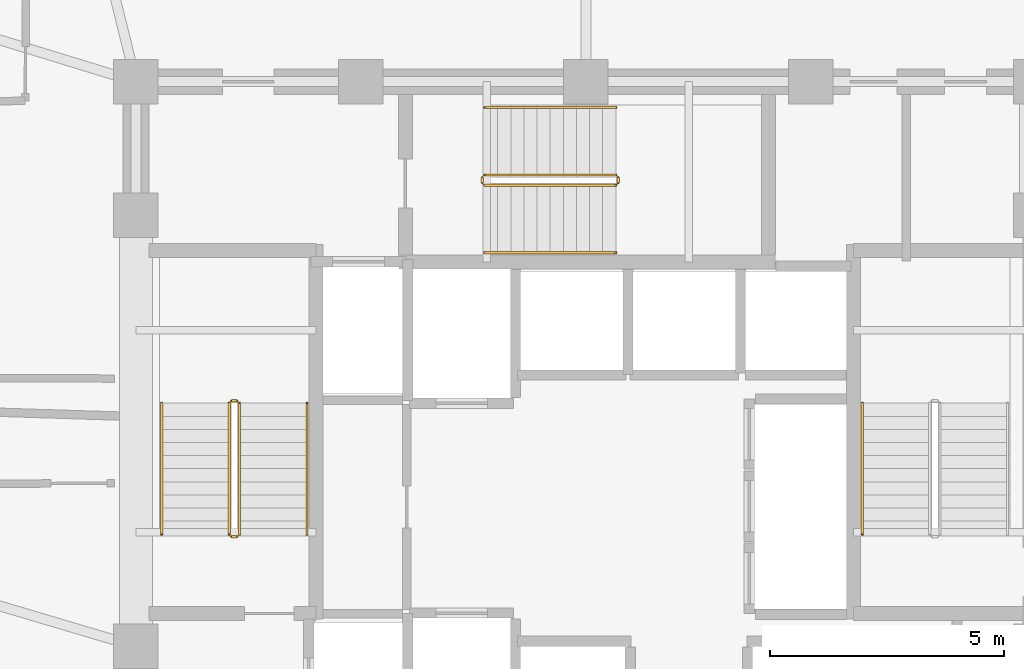
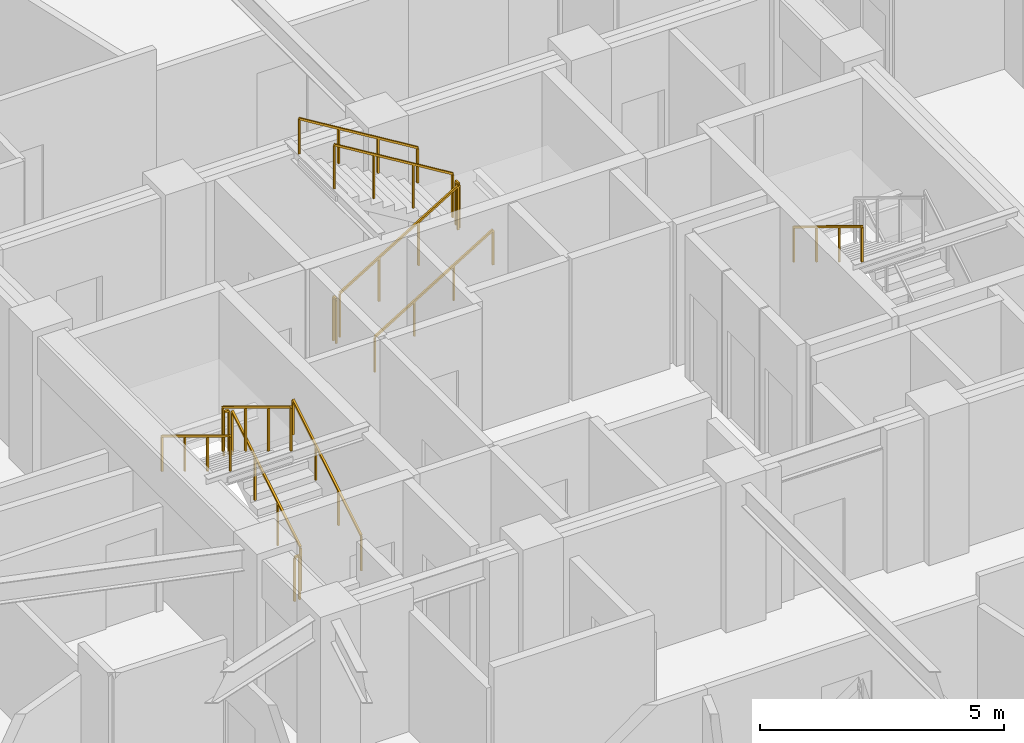
# One storey, part 28 of 30: 13 railings.
"""IFC4 building model written with IfcOpenShell, lengths in metres."""

import ifcopenshell
import ifcopenshell.guid

model = None  # the IFC model being written
_history = None  # IfcOwnerHistory: only IFC2X3 demands one
_inside = {}  # id of a spatial element -> (the spatial element, [elements in it])
_under = {}  # id of a project, library or spatial element -> (it, [spatial elements below it])
_declared = {}  # id of a project -> (the project, [libraries it declares])
_typed = {}  # id of a type object -> (the type object, [elements of that type])
_made_of = {}  # id of a material, layer set ... -> (it, [elements and type objects made of it])


def new_model(schema):
    """Start an empty IFC model of exactly this schema.

    Asked for "IFC4X3", IfcOpenShell would pick the latest addendum, in which some entities
    have other attributes; the version numbers below select the first issue.
    IFC2X3 requires an IfcOwnerHistory on every rooted entity: one is made here for all.
    """
    global model, _history
    if schema == "IFC4X3":
        model = ifcopenshell.file(schema_version=(4, 3, 0, 0))
    else:
        model = ifcopenshell.file(schema=schema)
    _inside.clear()
    _under.clear()
    _declared.clear()
    _typed.clear()
    _made_of.clear()
    _history = None
    if model.schema == "IFC2X3":
        org = make("IfcOrganization", Name="unknown")
        user = make(
            "IfcPersonAndOrganization",
            ThePerson=make("IfcPerson", FamilyName="unknown"),
            TheOrganization=org,
        )
        app = make(
            "IfcApplication",
            ApplicationDeveloper=org,
            Version="unknown",
            ApplicationFullName="unknown",
            ApplicationIdentifier="unknown",
        )
        _history = make(
            "IfcOwnerHistory",
            OwningUser=user,
            OwningApplication=app,
            ChangeAction="ADDED",
            CreationDate=0,
        )
    return model


def make(cls, **values):
    """One entity of the class cls with the attributes given. An attribute that is None is left unset."""
    return model.create_entity(
        cls, **{name: value for name, value in values.items() if value is not None}
    )


def rooted(cls, **values):
    """An entity with a GlobalId (a new one), such as an element, a storey or a relation."""
    return make(cls, GlobalId=ifcopenshell.guid.new(), OwnerHistory=_history, **values)


def si_unit(unit_type, name, prefix=None):
    """IfcSIUnit, for example si_unit("LENGTHUNIT", "METRE", prefix="MILLI")."""
    return make("IfcSIUnit", UnitType=unit_type, Prefix=prefix, Name=name)


def assignment(units):
    """IfcUnitAssignment: the units of a project."""
    return None if units is None else make("IfcUnitAssignment", Units=units)


def point(xyz):
    """IfcCartesianPoint."""
    return None if xyz is None else make("IfcCartesianPoint", Coordinates=xyz)


def direction(xyz):
    """IfcDirection."""
    return None if xyz is None else make("IfcDirection", DirectionRatios=xyz)


def frame(location, z_axis=None, x_axis=None):
    """IfcAxis2Placement3D, a coordinate frame: its origin and axes. An axis left out is left unset."""
    return make(
        "IfcAxis2Placement3D",
        Location=point(location),
        Axis=direction(z_axis),
        RefDirection=direction(x_axis),
    )


def frame_2d(location, x_axis=None):
    """IfcAxis2Placement2D, a coordinate frame in the plane: its origin and x axis."""
    return make(
        "IfcAxis2Placement2D", Location=point(location), RefDirection=direction(x_axis)
    )


def origin():
    """The frame at (0, 0, 0) with its axes left unset."""
    return frame((0.0, 0.0, 0.0))


def origin_2d():
    """The frame at (0, 0) in the plane with its x axis left unset."""
    return frame_2d((0.0, 0.0))


def place(relative_to, where):
    """IfcLocalPlacement: puts the frame where relative to a parent placement (None: the world)."""
    return make(
        "IfcLocalPlacement", PlacementRelTo=relative_to, RelativePlacement=where
    )


def context(
    kind, dimensions, precision=None, world=None, true_north=None, identifier=None
):
    """IfcGeometricRepresentationContext, for example the 3D "Model" context."""
    return make(
        "IfcGeometricRepresentationContext",
        ContextIdentifier=identifier,
        ContextType=kind,
        CoordinateSpaceDimension=dimensions,
        Precision=precision,
        WorldCoordinateSystem=world,
        TrueNorth=true_north,
    )


def subcontext(parent, identifier, kind, view, scale=None):
    """IfcGeometricRepresentationSubContext, for example "Body" below "Model"."""
    return make(
        "IfcGeometricRepresentationSubContext",
        ContextIdentifier=identifier,
        ContextType=kind,
        ParentContext=parent,
        TargetScale=scale,
        TargetView=view,
    )


def project(units=None, contexts=None):
    """IfcProject with its units and contexts."""
    return rooted(
        "IfcProject",
        Name="project",
        RepresentationContexts=contexts,
        UnitsInContext=assignment(units),
    )


def spatial(cls, under=None, at=None, **own):
    """A site, building, storey or space (cls), placed at a placement, below another one or the project."""
    s = rooted(cls, ObjectPlacement=at, **own)
    if under is not None:
        _under.setdefault(under.id(), (under, []))[1].append(s)
    return s


def profile(cls, at=None, kind="AREA", **sizes):
    """A parametric profile (cls). Its sizes go by their IFC names, for example OverallWidth=200.0."""
    return make(cls, ProfileType=kind, Position=at, **sizes)


def rectangle(**sizes):
    """IfcRectangleProfileDef."""
    return profile("IfcRectangleProfileDef", **sizes)


def extrude(swept, where, along, depth):
    """IfcExtrudedAreaSolid: the profile swept, set in the frame where, extruded along a direction by depth."""
    return make(
        "IfcExtrudedAreaSolid",
        SweptArea=swept,
        Position=where,
        ExtrudedDirection=direction(along),
        Depth=depth,
    )


def shape(context_of_items, identifier, shape_type, items):
    """IfcShapeRepresentation: the items that make up one representation, for example the "Body"."""
    return make(
        "IfcShapeRepresentation",
        ContextOfItems=context_of_items,
        RepresentationIdentifier=identifier,
        RepresentationType=shape_type,
        Items=items,
    )


def material(Name=None, Category=None):
    """IfcMaterial."""
    return make("IfcMaterial", Name=Name, Category=Category)


def made_of(thing, what):
    """Note that an element or type object is made of a material, layer set ...; save() writes the relation."""
    if what is not None:
        _made_of.setdefault(what.id(), (what, []))[1].append(thing)
    return thing


def type_object(cls, material=None, **own):
    """A type object (cls), such as IfcWallType, which elements share."""
    return made_of(rooted(cls, **own), material)


def element(
    cls,
    number,
    at=None,
    inside=None,
    cuts=None,
    type_object=None,
    material=None,
    context=None,
    identifier="Body",
    shape_type=None,
    held_by="IfcProductDefinitionShape",
    body=None,
    shapes=None,
    **own,
):
    """One element of the class cls, such as IfcWall. Its Tag is "e" and its number.

    at: its placement. inside: the storey or other place that contains it. cuts: it is an
    opening in that element (IfcRelVoidsElement). A single representation is given by context,
    identifier, shape_type and body (its items); several are given by shapes. held_by: the class
    of the entity that holds the representations. save() writes the other relations.
    """
    e = rooted(cls, Tag="e%d" % number, ObjectPlacement=at, **own)
    if body is not None:
        shapes = [shape(context, identifier, shape_type, body)]
    if shapes is not None:
        e.Representation = make(held_by, Representations=shapes)
    if inside is not None:
        _inside.setdefault(inside.id(), (inside, []))[1].append(e)
    if cuts is not None:
        rooted(
            "IfcRelVoidsElement", RelatingBuildingElement=cuts, RelatedOpeningElement=e
        )
    if type_object is not None:
        _typed.setdefault(type_object.id(), (type_object, []))[1].append(e)
    return made_of(e, material)


def aggregate(whole, parts):
    """IfcRelAggregates: a whole, such as a stair, and the parts it consists of."""
    return rooted("IfcRelAggregates", RelatingObject=whole, RelatedObjects=parts)


def save(model, path):
    """Write the relations noted so far, then the file.

    IfcRelAggregates (storeys below a building ...), IfcRelContainedInSpatialStructure (elements
    in a storey), IfcRelDefinesByType, IfcRelAssociatesMaterial and IfcRelDeclares: one each for
    every whole, place, type object, material and project.
    """
    for whole, parts in _under.values():
        aggregate(whole, parts)
    for where, things in _inside.values():
        rooted(
            "IfcRelContainedInSpatialStructure",
            RelatedElements=things,
            RelatingStructure=where,
        )
    for kind, things in _typed.values():
        rooted("IfcRelDefinesByType", RelatedObjects=things, RelatingType=kind)
    for what, things in _made_of.values():
        rooted("IfcRelAssociatesMaterial", RelatedObjects=things, RelatingMaterial=what)
    for by, libraries in _declared.values():
        rooted("IfcRelDeclares", RelatingContext=by, RelatedDefinitions=libraries)
    model.write(path)


model = new_model("IFC4")

# Units and contexts
model_context = context("Model", 3, precision=1e-05, world=origin(), true_north=direction((0.0, 1.0)))
body_context = subcontext(model_context, "Body", "Model", "MODEL_VIEW")
ifc_project = project(units=[si_unit("LENGTHUNIT", "METRE"), si_unit("AREAUNIT", "SQUARE_METRE"), si_unit("VOLUMEUNIT", "CUBIC_METRE"), si_unit("PLANEANGLEUNIT", "RADIAN"), si_unit("MASSUNIT", "GRAM", prefix="KILO")], contexts=[model_context])

# Site, building, storey
site_placement = place(None, origin())
site = spatial("IfcSite", under=ifc_project, at=site_placement, CompositionType="ELEMENT")
building_placement = place(site_placement, origin())
building = spatial("IfcBuilding", under=site, at=building_placement, Name="Vantalir Tower", CompositionType="ELEMENT")
storey_placement = place(building_placement, frame((0.0, 0.0, 130.949951171875)))
storey = spatial("IfcBuildingStorey", under=building, at=storey_placement, Name="L32", CompositionType="ELEMENT", Elevation=130.949951171875)

# Railings
ifc_material_1 = material(Name="Anodised aluminium and stainless steel guard", Category="steel")
railing_type_1 = type_object("IfcRailingType", Name="RAL-GUARD-1120", PredefinedType="GUARDRAIL", material=ifc_material_1)
railing_1_placement = place(storey_placement, frame((24.110107421875, 22.7900390625, 0.17041015625)))
element("IfcRailing", 1, at=railing_1_placement, inside=storey, type_object=railing_type_1, Name="L32 ST1 stair guard 1", PredefinedType="GUARDRAIL", context=body_context, shape_type="SweptSolid", body=[
    extrude(rectangle(XDim=0.048095703125, YDim=0.048095703125, at=origin_2d()), frame((0.0, 0.0, 1.09619140625), z_axis=(0.0, 0.854169791009, 0.51999420009), x_axis=(-1.0, 0.0, 0.0)), (0.0, 0.0, 1.0), 3.278076171875),
    extrude(rectangle(XDim=0.0419921875, YDim=0.0419921875, at=origin_2d()), origin(), (0.0, 0.0, 1.0), 1.072021484375),
    extrude(rectangle(XDim=0.0419921875, YDim=0.0419921875, at=origin_2d()), frame((0.0, 0.933349609375, 0.568115234375)), (0.0, 0.0, 1.0), 1.072021484375),
    extrude(rectangle(XDim=0.0419921875, YDim=0.0419921875, at=origin_2d()), frame((0.0, 1.86669921875, 1.136474609375)), (0.0, 0.0, 1.0), 1.072021484375),
    extrude(rectangle(XDim=0.0419921875, YDim=0.0419921875, at=origin_2d()), frame((0.0, 2.800048828125, 1.70458984375)), (0.0, 0.0, 1.0), 1.072021484375),
])
railing_2_placement = place(storey_placement, frame((24.06005859375, 25.639892578125, 1.875)))
element("IfcRailing", 2, at=railing_2_placement, inside=storey, type_object=railing_type_1, Name="L32 ST1 stair guard 2", PredefinedType="GUARDRAIL", context=body_context, shape_type="SweptSolid", body=[
    extrude(rectangle(XDim=0.048095703125, YDim=0.048095703125, at=origin_2d()), frame((0.0, 0.0, 1.09619140625), z_axis=(-1.0, 0.0, 0.0), x_axis=(0.0, -1.0, 0.0)), (0.0, 0.0, 1.0), 0.1201171875),
    extrude(rectangle(XDim=0.0419921875, YDim=0.0419921875, at=origin_2d()), origin(), (0.0, 0.0, 1.0), 1.072021484375),
    extrude(rectangle(XDim=0.0419921875, YDim=0.0419921875, at=origin_2d()), frame((-0.1201171875, 0.0, 0.0)), (0.0, 0.0, 1.0), 1.072021484375),
])
railing_3_placement = place(storey_placement, frame((23.889892578125, 25.590087890625, 2.04541015625)))
element("IfcRailing", 3, at=railing_3_placement, inside=storey, type_object=railing_type_1, Name="L32 ST1 stair guard 3", PredefinedType="GUARDRAIL", context=body_context, shape_type="SweptSolid", body=[
    extrude(rectangle(XDim=0.048095703125, YDim=0.048095703125, at=origin_2d()), frame((0.0, 0.0, 1.09619140625), z_axis=(0.0, -0.854169791009, 0.51999420009), x_axis=(1.0, 0.0, 0.0)), (0.0, 0.0, 1.0), 3.278076171875),
    extrude(rectangle(XDim=0.0419921875, YDim=0.0419921875, at=origin_2d()), origin(), (0.0, 0.0, 1.0), 1.072021484375),
    extrude(rectangle(XDim=0.0419921875, YDim=0.0419921875, at=origin_2d()), frame((0.0, -0.933349609375, 0.568115234375)), (0.0, 0.0, 1.0), 1.072021484375),
    extrude(rectangle(XDim=0.0419921875, YDim=0.0419921875, at=origin_2d()), frame((0.0, -1.86669921875, 1.136474609375)), (0.0, 0.0, 1.0), 1.072021484375),
    extrude(rectangle(XDim=0.0419921875, YDim=0.0419921875, at=origin_2d()), frame((0.0, -2.800048828125, 1.70458984375)), (0.0, 0.0, 1.0), 1.072021484375),
])
railing_4_placement = place(storey_placement, frame((24.06005859375, 22.739990234375, 0.0)))
element("IfcRailing", 4, at=railing_4_placement, inside=storey, type_object=railing_type_1, Name="L32 ST1 stair guard 4", PredefinedType="GUARDRAIL", context=body_context, shape_type="SweptSolid", body=[
    extrude(rectangle(XDim=0.048095703125, YDim=0.048095703125, at=origin_2d()), frame((0.0, 0.0, 1.09619140625), z_axis=(-1.0, 0.0, 0.0), x_axis=(0.0, -1.0, 0.0)), (0.0, 0.0, 1.0), 0.1201171875),
    extrude(rectangle(XDim=0.0419921875, YDim=0.0419921875, at=origin_2d()), origin(), (0.0, 0.0, 1.0), 1.072021484375),
    extrude(rectangle(XDim=0.0419921875, YDim=0.0419921875, at=origin_2d()), frame((-0.1201171875, 0.0, 0.0)), (0.0, 0.0, 1.0), 1.072021484375),
])
railing_5_placement = place(storey_placement, frame((29.340087890625, 30.239990234375, 0.17041015625)))
element("IfcRailing", 5, at=railing_5_placement, inside=storey, type_object=railing_type_1, Name="L32 ST3 stair guard 1", PredefinedType="GUARDRAIL", context=body_context, shape_type="SweptSolid", body=[
    extrude(rectangle(XDim=0.048095703125, YDim=0.048095703125, at=origin_2d()), frame((0.0, 0.0, 1.09619140625), z_axis=(0.854149651119, 0.0, 0.520027281489), x_axis=(0.0, 1.0, 0.0)), (0.0, 0.0, 1.0), 3.27783203125),
    extrude(rectangle(XDim=0.0419921875, YDim=0.0419921875, at=origin_2d()), origin(), (0.0, 0.0, 1.0), 1.072021484375),
    extrude(rectangle(XDim=0.0419921875, YDim=0.0419921875, at=origin_2d()), frame((0.933349609375, 0.0, 0.568115234375)), (0.0, 0.0, 1.0), 1.072021484375),
    extrude(rectangle(XDim=0.0419921875, YDim=0.0419921875, at=origin_2d()), frame((1.866455078125, 0.0, 1.136474609375)), (0.0, 0.0, 1.0), 1.072021484375),
    extrude(rectangle(XDim=0.0419921875, YDim=0.0419921875, at=origin_2d()), frame((2.7998046875, 0.0, 1.70458984375)), (0.0, 0.0, 1.0), 1.072021484375),
])
railing_6_placement = place(storey_placement, frame((32.18994140625, 30.2900390625, 1.875)))
element("IfcRailing", 6, at=railing_6_placement, inside=storey, type_object=railing_type_1, Name="L32 ST3 stair guard 2", PredefinedType="GUARDRAIL", context=body_context, shape_type="SweptSolid", body=[
    extrude(rectangle(XDim=0.048095703125, YDim=0.048095703125, at=origin_2d()), frame((0.0, 0.0, 1.09619140625), z_axis=(0.0, 1.0, 0.0), x_axis=(-1.0, 0.0, 0.0)), (0.0, 0.0, 1.0), 0.119873046875),
    extrude(rectangle(XDim=0.0419921875, YDim=0.0419921875, at=origin_2d()), origin(), (0.0, 0.0, 1.0), 1.072021484375),
    extrude(rectangle(XDim=0.0419921875, YDim=0.0419921875, at=origin_2d()), frame((0.0, 0.119873046875, 0.0)), (0.0, 0.0, 1.0), 1.072021484375),
])
railing_7_placement = place(storey_placement, frame((32.139892578125, 30.4599609375, 2.04541015625)))
element("IfcRailing", 7, at=railing_7_placement, inside=storey, type_object=railing_type_1, Name="L32 ST3 stair guard 3", PredefinedType="GUARDRAIL", context=body_context, shape_type="SweptSolid", body=[
    extrude(rectangle(XDim=0.048095703125, YDim=0.048095703125, at=origin_2d()), frame((0.0, 0.0, 1.09619140625), z_axis=(-0.854149651119, 0.0, 0.520027281489), x_axis=(0.0, -1.0, 0.0)), (0.0, 0.0, 1.0), 3.27783203125),
    extrude(rectangle(XDim=0.0419921875, YDim=0.0419921875, at=origin_2d()), origin(), (0.0, 0.0, 1.0), 1.072021484375),
    extrude(rectangle(XDim=0.0419921875, YDim=0.0419921875, at=origin_2d()), frame((-0.933349609375, 0.0, 0.568115234375)), (0.0, 0.0, 1.0), 1.072021484375),
    extrude(rectangle(XDim=0.0419921875, YDim=0.0419921875, at=origin_2d()), frame((-1.866455078125, 0.0, 1.136474609375)), (0.0, 0.0, 1.0), 1.072021484375),
    extrude(rectangle(XDim=0.0419921875, YDim=0.0419921875, at=origin_2d()), frame((-2.7998046875, 0.0, 1.70458984375)), (0.0, 0.0, 1.0), 1.072021484375),
])
railing_8_placement = place(storey_placement, frame((29.2900390625, 30.2900390625, 0.0)))
element("IfcRailing", 8, at=railing_8_placement, inside=storey, type_object=railing_type_1, Name="L32 ST3 stair guard 4", PredefinedType="GUARDRAIL", context=body_context, shape_type="SweptSolid", body=[
    extrude(rectangle(XDim=0.048095703125, YDim=0.048095703125, at=origin_2d()), frame((0.0, 0.0, 1.09619140625), z_axis=(0.0, 1.0, 0.0), x_axis=(-1.0, 0.0, 0.0)), (0.0, 0.0, 1.0), 0.119873046875),
    extrude(rectangle(XDim=0.0419921875, YDim=0.0419921875, at=origin_2d()), origin(), (0.0, 0.0, 1.0), 1.072021484375),
    extrude(rectangle(XDim=0.0419921875, YDim=0.0419921875, at=origin_2d()), frame((0.0, 0.119873046875, 0.0)), (0.0, 0.0, 1.0), 1.072021484375),
])
ifc_material_2 = material(Name="Brushed stainless steel tubular handrail", Category="steel")
railing_type_2 = type_object("IfcRailingType", Name="RAL-HANDRAIL-900", PredefinedType="HANDRAIL", material=ifc_material_2)
railing_9_placement = place(storey_placement, frame((25.550048828125, 22.7900390625, 0.17041015625)))
element("IfcRailing", 9, at=railing_9_placement, inside=storey, type_object=railing_type_2, Name="L32 ST1 stair handrail 1", PredefinedType="HANDRAIL", context=body_context, shape_type="SweptSolid", body=[
    extrude(rectangle(XDim=0.048095703125, YDim=0.048095703125, at=origin_2d()), frame((0.0, 0.0, 0.8759765625), z_axis=(0.0, 0.854169791009, 0.51999420009), x_axis=(-1.0, 0.0, 0.0)), (0.0, 0.0, 1.0), 3.278076171875),
    extrude(rectangle(XDim=0.0419921875, YDim=0.0419921875, at=origin_2d()), origin(), (0.0, 0.0, 1.0), 0.851806640625),
    extrude(rectangle(XDim=0.0419921875, YDim=0.0419921875, at=origin_2d()), frame((0.0, 0.933349609375, 0.568115234375)), (0.0, 0.0, 1.0), 0.851806640625),
    extrude(rectangle(XDim=0.0419921875, YDim=0.0419921875, at=origin_2d()), frame((0.0, 1.86669921875, 1.136474609375)), (0.0, 0.0, 1.0), 0.851806640625),
    extrude(rectangle(XDim=0.0419921875, YDim=0.0419921875, at=origin_2d()), frame((0.0, 2.800048828125, 1.70458984375)), (0.0, 0.0, 1.0), 0.851806640625),
])
for number, where, name in (
    (10, (22.449951171875, 25.590087890625, 2.04541015625), "L32 ST1 stair handrail 2"),
    (11, (37.39990234375, 25.590087890625, 2.04541015625), "L32 ST2 stair handrail 2"),
):
    element("IfcRailing", number, at=place(storey_placement, frame(where)), inside=storey, type_object=railing_type_2, Name=name, PredefinedType="HANDRAIL", context=body_context, shape_type="SweptSolid", body=[
        extrude(rectangle(XDim=0.048095703125, YDim=0.048095703125, at=origin_2d()), frame((0.0, 0.0, 0.8759765625), z_axis=(0.0, -0.854169791009, 0.51999420009), x_axis=(1.0, 0.0, 0.0)), (0.0, 0.0, 1.0), 3.278076171875),
        extrude(rectangle(XDim=0.0419921875, YDim=0.0419921875, at=origin_2d()), origin(), (0.0, 0.0, 1.0), 0.851806640625),
        extrude(rectangle(XDim=0.0419921875, YDim=0.0419921875, at=origin_2d()), frame((0.0, -0.933349609375, 0.568115234375)), (0.0, 0.0, 1.0), 0.851806640625),
        extrude(rectangle(XDim=0.0419921875, YDim=0.0419921875, at=origin_2d()), frame((0.0, -1.86669921875, 1.136474609375)), (0.0, 0.0, 1.0), 0.851806640625),
        extrude(rectangle(XDim=0.0419921875, YDim=0.0419921875, at=origin_2d()), frame((0.0, -2.800048828125, 1.70458984375)), (0.0, 0.0, 1.0), 0.851806640625),
    ])
railing_10_placement = place(storey_placement, frame((29.340087890625, 28.800048828125, 0.17041015625)))
element("IfcRailing", 12, at=railing_10_placement, inside=storey, type_object=railing_type_2, Name="L32 ST3 stair handrail 1", PredefinedType="HANDRAIL", context=body_context, shape_type="SweptSolid", body=[
    extrude(rectangle(XDim=0.048095703125, YDim=0.048095703125, at=origin_2d()), frame((0.0, 0.0, 0.8759765625), z_axis=(0.854149651119, 0.0, 0.520027281489), x_axis=(0.0, 1.0, 0.0)), (0.0, 0.0, 1.0), 3.27783203125),
    extrude(rectangle(XDim=0.0419921875, YDim=0.0419921875, at=origin_2d()), origin(), (0.0, 0.0, 1.0), 0.851806640625),
    extrude(rectangle(XDim=0.0419921875, YDim=0.0419921875, at=origin_2d()), frame((0.933349609375, 0.0, 0.568115234375)), (0.0, 0.0, 1.0), 0.851806640625),
    extrude(rectangle(XDim=0.0419921875, YDim=0.0419921875, at=origin_2d()), frame((1.866455078125, 0.0, 1.136474609375)), (0.0, 0.0, 1.0), 0.851806640625),
    extrude(rectangle(XDim=0.0419921875, YDim=0.0419921875, at=origin_2d()), frame((2.7998046875, 0.0, 1.70458984375)), (0.0, 0.0, 1.0), 0.851806640625),
])
railing_11_placement = place(storey_placement, frame((32.139892578125, 31.89990234375, 2.04541015625)))
element("IfcRailing", 13, at=railing_11_placement, inside=storey, type_object=railing_type_2, Name="L32 ST3 stair handrail 2", PredefinedType="HANDRAIL", context=body_context, shape_type="SweptSolid", body=[
    extrude(rectangle(XDim=0.048095703125, YDim=0.048095703125, at=origin_2d()), frame((0.0, 0.0, 0.8759765625), z_axis=(-0.854149651119, 0.0, 0.520027281489), x_axis=(0.0, -1.0, 0.0)), (0.0, 0.0, 1.0), 3.27783203125),
    extrude(rectangle(XDim=0.0419921875, YDim=0.0419921875, at=origin_2d()), origin(), (0.0, 0.0, 1.0), 0.851806640625),
    extrude(rectangle(XDim=0.0419921875, YDim=0.0419921875, at=origin_2d()), frame((-0.933349609375, 0.0, 0.568115234375)), (0.0, 0.0, 1.0), 0.851806640625),
    extrude(rectangle(XDim=0.0419921875, YDim=0.0419921875, at=origin_2d()), frame((-1.866455078125, 0.0, 1.136474609375)), (0.0, 0.0, 1.0), 0.851806640625),
    extrude(rectangle(XDim=0.0419921875, YDim=0.0419921875, at=origin_2d()), frame((-2.7998046875, 0.0, 1.70458984375)), (0.0, 0.0, 1.0), 0.851806640625),
])

save(model, "model.ifc")
